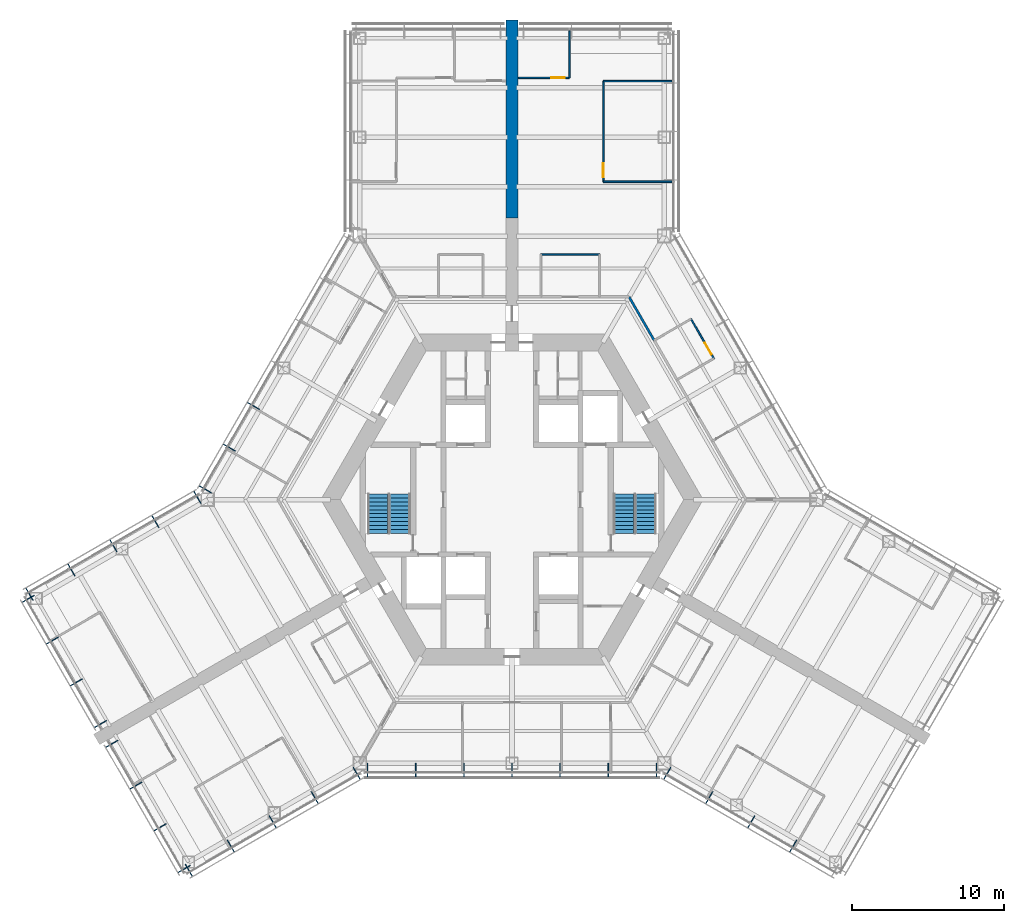
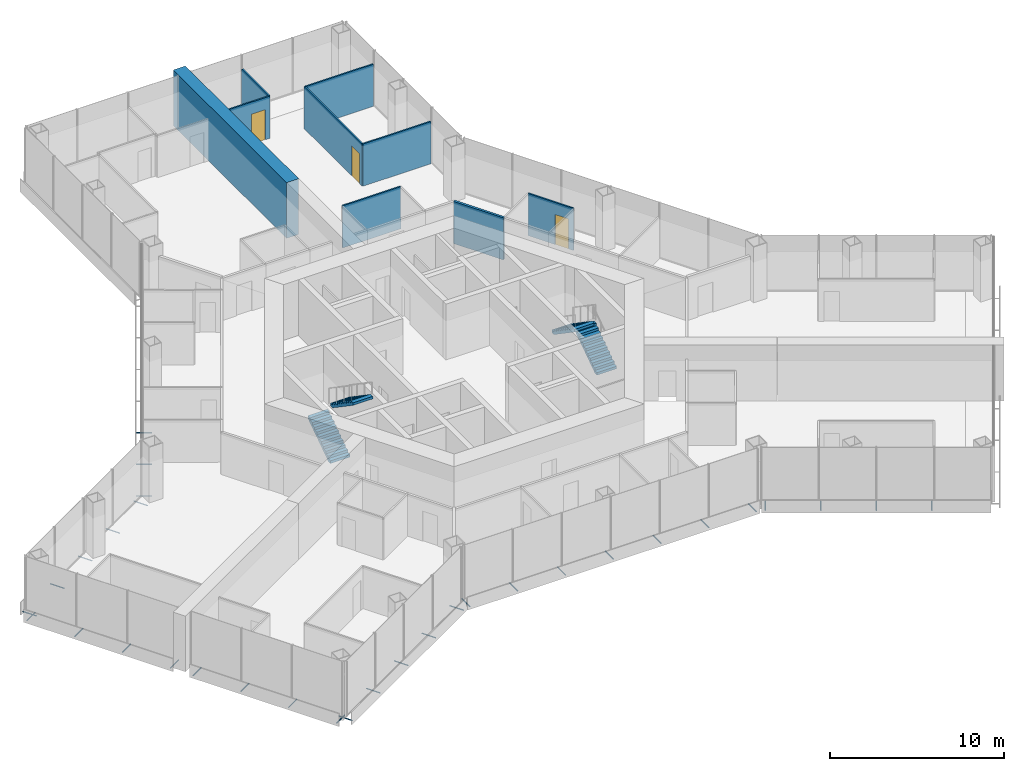
# One storey, part 16 of 19: 32 discrete accessories, 9 walls, 4 stair flights, 3 doors, 3 openings, 2 elements without a shape of their own.
"""IFC4 building model written with IfcOpenShell, lengths in metres."""

from ifc_helpers import new_model, si_unit, direction, frame, frame_2d, origin, origin_2d, place, context, subcontext, project, spatial, polyline, rectangle, hollow_circle, outline, extrude, material, layer, layer_set, material_profile, profile_set, type_object, element, fill, aggregate, save


model = new_model("IFC4")

# Units and contexts
model_context = context("Model", 3, precision=1e-05, world=origin(), true_north=direction((0.0, 1.0)))
body_context = subcontext(model_context, "Body", "Model", "MODEL_VIEW")
ifc_project = project(units=[si_unit("LENGTHUNIT", "METRE"), si_unit("AREAUNIT", "SQUARE_METRE"), si_unit("VOLUMEUNIT", "CUBIC_METRE"), si_unit("PLANEANGLEUNIT", "RADIAN"), si_unit("MASSUNIT", "GRAM", prefix="KILO")], contexts=[model_context])

# Site, building, storey
site_placement = place(None, origin())
site = spatial("IfcSite", under=ifc_project, at=site_placement, CompositionType="ELEMENT")
building_placement = place(site_placement, origin())
building = spatial("IfcBuilding", under=site, at=building_placement, Name="Kasaneha Research Tower", CompositionType="ELEMENT")
storey_placement = place(building_placement, frame((0.0, 0.0, 84.60009765625)))
storey = spatial("IfcBuildingStorey", under=building, at=storey_placement, Name="L21", CompositionType="ELEMENT", Elevation=84.60009765625)

# Wall
ifc_material_1 = material(Name="Gypsum board on steel studs, one layer each side", Category="steel")
ifc_layer_1 = layer(ifc_material_1, 0.10009765625)
ifc_layer_set_1 = layer_set([ifc_layer_1], Name="Office partition 100")
wall_type_1 = type_object("IfcWallType", Name="Office partition 100", PredefinedType="PARTITIONING", material=ifc_layer_set_1)
wall_1_placement = place(storey_placement, frame((1.89990234375, 16.125, 0.0), z_axis=(0.0, 0.0, 1.0), x_axis=(1.0, 0.0, 0.0)))
element("IfcWall", 1, at=wall_1_placement, inside=storey, type_object=wall_type_1, Name="Office partition FAE08 L21", PredefinedType="PARTITIONING", context=body_context, shape_type="SweptSolid", body=[
    extrude(rectangle(XDim=3.857177734375, YDim=0.10009765625, at=frame_2d((1.9287109375, 0.0))), origin(), (0.0, 0.0, 1.0), 2.949951171875),
])

# Wall, opening, door
wall_2_placement = place(storey_placement, frame((11.7646484375, 11.873046875, 0.0), z_axis=(0.0, 0.0, 1.0), x_axis=(0.499990139034, -0.866031096941, 0.0)))
wall_2 = element("IfcWall", 2, at=wall_2_placement, inside=storey, type_object=wall_type_1, Name="Office partition FAE12 L21", PredefinedType="PARTITIONING", context=body_context, shape_type="SweptSolid", body=[
    extrude(rectangle(XDim=3.0, YDim=0.10009765625, at=frame_2d((1.5, 0.0))), origin(), (0.0, 0.0, 1.0), 2.949951171875),
])
opening_1_placement = place(wall_2_placement, frame((1.800048828125, 0.0, 0.0)))
opening_1 = element("IfcOpeningElement", 3, at=opening_1_placement, cuts=wall_2, Name="Opening L21-D30", PredefinedType="OPENING", context=body_context, shape_type="SweptSolid", body=[
    extrude(rectangle(XDim=0.89990234375, YDim=2.10009765625, at=frame_2d((0.449951171875, 1.050048828125))), frame((0.0, 0.06005859375, 0.0), z_axis=(0.0, -1.0, 0.0), x_axis=(1.0, 0.0, 0.0)), (0.0, 0.0, 1.0), 0.1201171875),
])
ifc_material_2 = material(Name="Timber veneer", Category="wood")
door_type = type_object("IfcDoorType", Name="Office door 900x2100", OperationType="SINGLE_SWING_LEFT", PredefinedType="DOOR", material=ifc_material_2)
door_1_placement = place(opening_1_placement, origin())
door_1 = element("IfcDoor", 4, at=door_1_placement, inside=storey, type_object=door_type, Name="Pantry door L21-D30", OperationType="SINGLE_SWING_RIGHT", OverallHeight=2.10009765625, OverallWidth=0.89990234375, PredefinedType="DOOR", context=body_context, shape_type="SweptSolid", body=[
    extrude(rectangle(XDim=0.89990234375, YDim=2.10009765625, at=frame_2d((0.449951171875, 1.050048828125))), frame((0.0, 0.02490234375, 0.0), z_axis=(0.0, -1.0, 0.0), x_axis=(1.0, 0.0, 0.0)), (0.0, 0.0, 1.0), 0.050048828125),
])
fill(opening_1, door_1)

wall_3_placement = place(storey_placement, frame((6.0, 20.89111328125, 0.0), z_axis=(0.0, 0.0, 1.0), x_axis=(0.0, 1.0, 0.0)))
wall_3 = element("IfcWall", 5, at=wall_3_placement, inside=storey, type_object=wall_type_1, Name="Office partition FAE15 L21", PredefinedType="PARTITIONING", context=body_context, shape_type="SweptSolid", body=[
    extrude(rectangle(XDim=6.61962890625, YDim=0.10009765625, at=frame_2d((3.309814453125, 0.0))), origin(), (0.0, 0.0, 1.0), 2.949951171875),
])
opening_2_placement = place(wall_3_placement, frame((0.300048828125, 0.0, 0.0)))
opening_2 = element("IfcOpeningElement", 6, at=opening_2_placement, cuts=wall_3, Name="Opening L21-D32", PredefinedType="OPENING", context=body_context, shape_type="SweptSolid", body=[
    extrude(rectangle(XDim=0.89990234375, YDim=2.10009765625, at=frame_2d((0.449951171875, 1.050048828125))), frame((0.0, 0.06005859375, 0.0), z_axis=(0.0, -1.0, 0.0), x_axis=(1.0, 0.0, 0.0)), (0.0, 0.0, 1.0), 0.1201171875),
])
door_2_placement = place(opening_2_placement, origin())
door_2 = element("IfcDoor", 7, at=door_2_placement, inside=storey, type_object=door_type, Name="Meeting room door L21-D32", OperationType="SINGLE_SWING_LEFT", OverallHeight=2.10009765625, OverallWidth=0.89990234375, PredefinedType="DOOR", context=body_context, shape_type="SweptSolid", body=[
    extrude(rectangle(XDim=0.89990234375, YDim=2.10009765625, at=frame_2d((0.449951171875, 1.050048828125))), frame((0.0, 0.02490234375, 0.0), z_axis=(0.0, -1.0, 0.0), x_axis=(1.0, 0.0, 0.0)), (0.0, 0.0, 1.0), 0.050048828125),
])
fill(opening_2, door_2)

# Walls
for number, where, z_axis, x_axis, name in (
    (8, (6.0, 27.5107421875, 0.0), (0.0, 0.0, 1.0), (1.0, 0.0, 0.0), "Office partition FAE16 L21"),
    (9, (10.5, 20.89111328125, 0.0), (0.0, 0.0, 1.0), (-1.0, 0.0, 0.0), "Office partition FAE17 L21"),
):
    element("IfcWall", number, at=place(storey_placement, frame(where, z_axis=z_axis, x_axis=x_axis)), inside=storey, type_object=wall_type_1, Name=name, PredefinedType="PARTITIONING", context=body_context, shape_type="SweptSolid", body=[
        extrude(rectangle(XDim=4.5, YDim=0.10009765625, at=frame_2d((2.25, 0.0))), origin(), (0.0, 0.0, 1.0), 2.949951171875),
    ])

# Wall, opening, door
wall_4_placement = place(storey_placement, frame((3.7666015625, 27.720458984375, 0.0), z_axis=(0.0, 0.0, 1.0), x_axis=(-1.0, 0.0, 0.0)))
wall_4 = element("IfcWall", 10, at=wall_4_placement, inside=storey, type_object=wall_type_1, Name="Office partition FAE18 L21", PredefinedType="PARTITIONING", context=body_context, shape_type="SweptSolid", body=[
    extrude(rectangle(XDim=3.3466796875, YDim=0.10009765625, at=frame_2d((1.67333984375, 0.0))), origin(), (0.0, 0.0, 1.0), 2.949951171875),
])
opening_3_placement = place(wall_4_placement, frame((0.300048828125, 0.0, 0.0)))
opening_3 = element("IfcOpeningElement", 11, at=opening_3_placement, cuts=wall_4, Name="Opening L21-D33", PredefinedType="OPENING", context=body_context, shape_type="SweptSolid", body=[
    extrude(rectangle(XDim=0.89990234375, YDim=2.10009765625, at=frame_2d((0.449951171875, 1.050048828125))), frame((0.0, 0.06005859375, 0.0), z_axis=(0.0, -1.0, 0.0), x_axis=(1.0, 0.0, 0.0)), (0.0, 0.0, 1.0), 0.1201171875),
])
door_3_placement = place(opening_3_placement, origin())
door_3 = element("IfcDoor", 12, at=door_3_placement, inside=storey, type_object=door_type, Name="Workroom door L21-D33", OperationType="SINGLE_SWING_LEFT", OverallHeight=2.10009765625, OverallWidth=0.89990234375, PredefinedType="DOOR", context=body_context, shape_type="SweptSolid", body=[
    extrude(rectangle(XDim=0.89990234375, YDim=2.10009765625, at=frame_2d((0.449951171875, 1.050048828125))), frame((0.0, 0.02490234375, 0.0), z_axis=(0.0, -1.0, 0.0), x_axis=(1.0, 0.0, 0.0)), (0.0, 0.0, 1.0), 0.050048828125),
])
fill(opening_3, door_3)

# Walls
wall_5_placement = place(storey_placement, frame((3.7666015625, 30.800537109375, 0.0), z_axis=(0.0, 0.0, 1.0), x_axis=(0.0, -1.0, 0.0)))
element("IfcWall", 13, at=wall_5_placement, inside=storey, type_object=wall_type_1, Name="Office partition FAE19 L21", PredefinedType="PARTITIONING", context=body_context, shape_type="SweptSolid", body=[
    extrude(rectangle(XDim=3.080078125, YDim=0.10009765625, at=frame_2d((1.5400390625, 0.0))), origin(), (0.0, 0.0, 1.0), 2.949951171875),
])
ifc_material_3 = material(Name="Concrete Fc80", Category="concrete")
ifc_layer_2 = layer(ifc_material_3, 0.800048828125)
ifc_layer_set_2 = layer_set([ifc_layer_2], Name="Spine wall 800 Fc80")
wall_type_2 = type_object("IfcWallType", Name="Spine wall 800 Fc80", PredefinedType="SHEAR", material=ifc_layer_set_2)
wall_6_placement = place(storey_placement, frame((0.0, 18.5205078125, 0.0), z_axis=(0.0, 0.0, 1.0), x_axis=(0.0, 1.0, 0.0)))
element("IfcWall", 14, at=wall_6_placement, inside=storey, type_object=wall_type_2, Name="Spine wall A wing L21", PredefinedType="SHEAR", context=body_context, shape_type="SweptSolid", body=[
    extrude(rectangle(XDim=13.0, YDim=0.800048828125, at=frame_2d((6.5, 0.0))), origin(), (0.0, 0.0, 1.0), 3.89990234375),
])
ifc_material_4 = material(Name="Gypsum board on steel studs, two layers each side", Category="steel")
ifc_layer_3 = layer(ifc_material_4, 0.14990234375)
ifc_layer_set_3 = layer_set([ifc_layer_3], Name="Suite partition 150")
wall_type_3 = type_object("IfcWallType", Name="Suite partition 150", PredefinedType="PARTITIONING", material=ifc_layer_set_3)
wall_7_placement = place(storey_placement, frame((7.693115234375, 13.324951171875, 0.0), z_axis=(0.0, 0.0, 1.0), x_axis=(0.500008692254, -0.866020385251, 0.0)))
element("IfcWall", 15, at=wall_7_placement, inside=storey, type_object=wall_type_3, Name="Suite partition FAE06 L21", PredefinedType="PARTITIONING", context=body_context, shape_type="SweptSolid", body=[
    extrude(rectangle(XDim=3.2978515625, YDim=0.14990234375, at=frame_2d((1.64892578125, 0.0))), origin(), (0.0, 0.0, 1.0), 2.949951171875),
])

# Stair, stair flights
ifc_material_5 = material(Name="Concrete Fc24", Category="concrete")
stair_type = type_object("IfcStairType", Name="Half-turn stair 22 risers", PredefinedType="HALF_TURN_STAIR", material=ifc_material_5)
stair_1_placement = place(storey_placement, origin())
stair_1 = element("IfcStair", 16, at=stair_1_placement, inside=storey, type_object=stair_type, Name="Stair 1 L21", PredefinedType="HALF_TURN_STAIR")
ifc_material_6 = material(Name="Concrete Fc24", Category="concrete")
stair_flight_type = type_object("IfcStairFlightType", Name="Stair flight 11 risers 177.3", PredefinedType="STRAIGHT", material=ifc_material_6)
stair_flight_1_placement = place(storey_placement, frame((8.824951171875, -2.22509765625, 0.0), z_axis=(0.0, 0.0, 1.0), x_axis=(0.0, 1.0, 0.0)))
stair_flight_1 = element("IfcStairFlight", 17, at=stair_flight_1_placement, type_object=stair_flight_type, Name="ST1-22R flight 1", NumberOfRisers=11, NumberOfTreads=10, PredefinedType="STRAIGHT", RiserHeight=0.177272727, TreadLength=0.26, context=body_context, shape_type="SweptSolid", body=[
    extrude(outline(polyline([(0.0, 0.0), (0.0, 0.17724609375), (0.260009765625, 0.17724609375), (0.260009765625, 0.3544921875), (0.52001953125, 0.3544921875), (0.52001953125, 0.53173828125), (0.780029296875, 0.53173828125), (0.780029296875, 0.708984375), (1.0400390625, 0.708984375), (1.0400390625, 0.886474609375), (1.300048828125, 0.886474609375), (1.300048828125, 1.063720703125), (1.56005859375, 1.063720703125), (1.56005859375, 1.240966796875), (1.820068359375, 1.240966796875), (1.820068359375, 1.418212890625), (2.080078125, 1.418212890625), (2.080078125, 1.595458984375), (2.340087890625, 1.595458984375), (2.340087890625, 1.772705078125), (2.60009765625, 1.772705078125), (2.60009765625, 1.949951171875), (2.60009765625, 1.59130859375), (0.26611328125, 0.0), (0.0, 0.0)])), frame((0.0, 0.64990234375, 0.0), z_axis=(0.0, -1.0, 0.0), x_axis=(1.0, 0.0, 0.0)), (0.0, 0.0, 1.0), 1.300048828125),
])
stair_flight_2_placement = place(storey_placement, frame((7.324951171875, 0.375, 1.949951171875), z_axis=(0.0, 0.0, 1.0), x_axis=(0.0, -1.0, 0.0)))
stair_flight_2 = element("IfcStairFlight", 18, at=stair_flight_2_placement, type_object=stair_flight_type, Name="ST1-22R flight 2", NumberOfRisers=11, NumberOfTreads=10, PredefinedType="STRAIGHT", RiserHeight=0.177272727, TreadLength=0.26, context=body_context, shape_type="SweptSolid", body=[
    extrude(outline(polyline([(0.0, 0.0), (0.0, 0.17724609375), (0.260009765625, 0.17724609375), (0.260009765625, 0.3544921875), (0.52001953125, 0.3544921875), (0.52001953125, 0.53173828125), (0.780029296875, 0.53173828125), (0.780029296875, 0.708984375), (1.0400390625, 0.708984375), (1.0400390625, 0.886474609375), (1.300048828125, 0.886474609375), (1.300048828125, 1.063720703125), (1.56005859375, 1.063720703125), (1.56005859375, 1.240966796875), (1.820068359375, 1.240966796875), (1.820068359375, 1.418212890625), (2.080078125, 1.418212890625), (2.080078125, 1.595458984375), (2.340087890625, 1.595458984375), (2.340087890625, 1.772705078125), (2.60009765625, 1.772705078125), (2.60009765625, 1.949951171875), (2.60009765625, 1.59130859375), (0.26611328125, 0.0), (0.0, 0.0)])), frame((0.0, 0.64990234375, 0.0), z_axis=(0.0, -1.0, 0.0), x_axis=(1.0, 0.0, 0.0)), (0.0, 0.0, 1.0), 1.300048828125),
])
aggregate(stair_1, [stair_flight_1, stair_flight_2])

stair_2_placement = place(storey_placement, origin())
stair_2 = element("IfcStair", 19, at=stair_2_placement, inside=storey, type_object=stair_type, Name="Stair 2 L21", PredefinedType="HALF_TURN_STAIR")
stair_flight_3_placement = place(storey_placement, frame((-8.824951171875, -2.22509765625, 0.0), z_axis=(0.0, 0.0, 1.0), x_axis=(0.0, 1.0, 0.0)))
stair_flight_3 = element("IfcStairFlight", 20, at=stair_flight_3_placement, type_object=stair_flight_type, Name="ST2-22R flight 1", NumberOfRisers=11, NumberOfTreads=10, PredefinedType="STRAIGHT", RiserHeight=0.177272727, TreadLength=0.26, context=body_context, shape_type="SweptSolid", body=[
    extrude(outline(polyline([(0.0, 0.0), (0.0, 0.17724609375), (0.260009765625, 0.17724609375), (0.260009765625, 0.3544921875), (0.52001953125, 0.3544921875), (0.52001953125, 0.53173828125), (0.780029296875, 0.53173828125), (0.780029296875, 0.708984375), (1.0400390625, 0.708984375), (1.0400390625, 0.886474609375), (1.300048828125, 0.886474609375), (1.300048828125, 1.063720703125), (1.56005859375, 1.063720703125), (1.56005859375, 1.240966796875), (1.820068359375, 1.240966796875), (1.820068359375, 1.418212890625), (2.080078125, 1.418212890625), (2.080078125, 1.595458984375), (2.340087890625, 1.595458984375), (2.340087890625, 1.772705078125), (2.60009765625, 1.772705078125), (2.60009765625, 1.949951171875), (2.60009765625, 1.59130859375), (0.26611328125, 0.0), (0.0, 0.0)])), frame((0.0, 0.64990234375, 0.0), z_axis=(0.0, -1.0, 0.0), x_axis=(1.0, 0.0, 0.0)), (0.0, 0.0, 1.0), 1.300048828125),
])
stair_flight_4_placement = place(storey_placement, frame((-7.324951171875, 0.375, 1.949951171875), z_axis=(0.0, 0.0, 1.0), x_axis=(0.0, -1.0, 0.0)))
stair_flight_4 = element("IfcStairFlight", 21, at=stair_flight_4_placement, type_object=stair_flight_type, Name="ST2-22R flight 2", NumberOfRisers=11, NumberOfTreads=10, PredefinedType="STRAIGHT", RiserHeight=0.177272727, TreadLength=0.26, context=body_context, shape_type="SweptSolid", body=[
    extrude(outline(polyline([(0.0, 0.0), (0.0, 0.17724609375), (0.260009765625, 0.17724609375), (0.260009765625, 0.3544921875), (0.52001953125, 0.3544921875), (0.52001953125, 0.53173828125), (0.780029296875, 0.53173828125), (0.780029296875, 0.708984375), (1.0400390625, 0.708984375), (1.0400390625, 0.886474609375), (1.300048828125, 0.886474609375), (1.300048828125, 1.063720703125), (1.56005859375, 1.063720703125), (1.56005859375, 1.240966796875), (1.820068359375, 1.240966796875), (1.820068359375, 1.418212890625), (2.080078125, 1.418212890625), (2.080078125, 1.595458984375), (2.340087890625, 1.595458984375), (2.340087890625, 1.772705078125), (2.60009765625, 1.772705078125), (2.60009765625, 1.949951171875), (2.60009765625, 1.59130859375), (0.26611328125, 0.0), (0.0, 0.0)])), frame((0.0, 0.64990234375, 0.0), z_axis=(0.0, -1.0, 0.0), x_axis=(1.0, 0.0, 0.0)), (0.0, 0.0, 1.0), 1.300048828125),
])
aggregate(stair_2, [stair_flight_3, stair_flight_4])

# Discrete accessories
ifc_material_7 = material(Name="Steel STK400", Category="steel")
ifc_material_profile = material_profile(ifc_material_7, hollow_circle(Radius=0.0380859375, WallThickness=0.00390625, at=origin_2d()), Name="CHS-76.3x4.0")
ifc_profile_set = profile_set([ifc_material_profile], Name="Steel STK400")
discrete_accessory_type = type_object("IfcDiscreteAccessoryType", Name="Screen bracket CHS-76.3x4.0", PredefinedType="BRACKET", material=ifc_profile_set)
discrete_accessory_1_placement = place(storey_placement, frame((-21.474853515625, -23.945556640625, -0.300048828125), z_axis=(0.500021113727, -0.866013213425, 0.0), x_axis=(0.866013213425, 0.500021113727, 0.0)))
element("IfcDiscreteAccessory", 22, at=discrete_accessory_1_placement, inside=storey, type_object=discrete_accessory_type, Name="Screen bracket 1", PredefinedType="BRACKET", context=body_context, shape_type="SweptSolid", body=[
    extrude(hollow_circle(Radius=0.0380859375, WallThickness=0.00390625, at=origin_2d()), origin(), (0.0, 0.0, 1.0), 0.919921875),
])
discrete_accessory_2_placement = place(storey_placement, frame((-18.716796875, -22.35302734375, -0.300048828125), z_axis=(0.500105201737, -0.865964657013, 0.0), x_axis=(0.865964657013, 0.500105201737, 0.0)))
element("IfcDiscreteAccessory", 23, at=discrete_accessory_2_placement, inside=storey, type_object=discrete_accessory_type, Name="Screen bracket 2", PredefinedType="BRACKET", context=body_context, shape_type="SweptSolid", body=[
    extrude(hollow_circle(Radius=0.0380859375, WallThickness=0.00390625, at=origin_2d()), origin(), (0.0, 0.0, 1.0), 0.920166015625),
])
discrete_accessory_3_placement = place(storey_placement, frame((-15.95849609375, -20.7607421875, -0.300048828125), z_axis=(0.500021113727, -0.866013213425, 0.0), x_axis=(0.866013213425, 0.500021113727, 0.0)))
element("IfcDiscreteAccessory", 24, at=discrete_accessory_3_placement, inside=storey, type_object=discrete_accessory_type, Name="Screen bracket 3", PredefinedType="BRACKET", context=body_context, shape_type="SweptSolid", body=[
    extrude(hollow_circle(Radius=0.0380859375, WallThickness=0.00390625, at=origin_2d()), origin(), (0.0, 0.0, 1.0), 0.919921875),
])
discrete_accessory_4_placement = place(storey_placement, frame((-13.200439453125, -19.168212890625, -0.300048828125), z_axis=(0.499906209203, -0.866079547155, 0.0), x_axis=(0.866079547155, 0.499906209203, 0.0)))
element("IfcDiscreteAccessory", 25, at=discrete_accessory_4_placement, inside=storey, type_object=discrete_accessory_type, Name="Screen bracket 4", PredefinedType="BRACKET", context=body_context, shape_type="SweptSolid", body=[
    extrude(hollow_circle(Radius=0.0380859375, WallThickness=0.00390625, at=origin_2d()), origin(), (0.0, 0.0, 1.0), 0.920166015625),
])
for number, where, z_axis, x_axis, name in (
    (26, (-10.4423828125, -17.575927734375, -0.300048828125), (0.500021113727, -0.866013213425, 0.0), (0.866013213425, 0.500021113727, 0.0), "Screen bracket 5"),
    (27, (-9.4892578125, -17.320556640625, -0.300048828125), (0.0, -1.0, 0.0), (1.0, 0.0, 0.0), "Screen bracket 1"),
    (28, (-6.326171875, -17.320556640625, -0.300048828125), (0.0, -1.0, 0.0), (1.0, 0.0, 0.0), "Screen bracket 2"),
    (29, (-3.1630859375, -17.320556640625, -0.300048828125), (0.0, -1.0, 0.0), (1.0, 0.0, 0.0), "Screen bracket 3"),
    (30, (0.0, -17.320556640625, -0.300048828125), (0.0, -1.0, 0.0), (1.0, 0.0, 0.0), "Screen bracket 4"),
    (31, (3.1630859375, -17.320556640625, -0.300048828125), (0.0, -1.0, 0.0), (1.0, 0.0, 0.0), "Screen bracket 5"),
    (32, (6.326171875, -17.320556640625, -0.300048828125), (0.0, -1.0, 0.0), (1.0, 0.0, 0.0), "Screen bracket 6"),
    (33, (9.4892578125, -17.320556640625, -0.300048828125), (0.0, -1.0, 0.0), (1.0, 0.0, 0.0), "Screen bracket 7"),
    (34, (10.4423828125, -17.575927734375, -0.300048828125), (-0.500021113727, -0.866013213425, 0.0), (0.866013213425, -0.500021113727, 0.0), "Screen bracket 1"),
):
    element("IfcDiscreteAccessory", number, at=place(storey_placement, frame(where, z_axis=z_axis, x_axis=x_axis)), inside=storey, type_object=discrete_accessory_type, Name=name, PredefinedType="BRACKET", context=body_context, shape_type="SweptSolid", body=[
        extrude(hollow_circle(Radius=0.0380859375, WallThickness=0.00390625, at=origin_2d()), origin(), (0.0, 0.0, 1.0), 0.919921875),
    ])
discrete_accessory_5_placement = place(storey_placement, frame((13.200439453125, -19.168212890625, -0.300048828125), z_axis=(-0.499906209203, -0.866079547155, 0.0), x_axis=(0.866079547155, -0.499906209203, 0.0)))
element("IfcDiscreteAccessory", 35, at=discrete_accessory_5_placement, inside=storey, type_object=discrete_accessory_type, Name="Screen bracket 2", PredefinedType="BRACKET", context=body_context, shape_type="SweptSolid", body=[
    extrude(hollow_circle(Radius=0.0380859375, WallThickness=0.00390625, at=origin_2d()), origin(), (0.0, 0.0, 1.0), 0.920166015625),
])
discrete_accessory_6_placement = place(storey_placement, frame((15.95849609375, -20.7607421875, -0.300048828125), z_axis=(-0.500021113727, -0.866013213425, 0.0), x_axis=(0.866013213425, -0.500021113727, 0.0)))
element("IfcDiscreteAccessory", 36, at=discrete_accessory_6_placement, inside=storey, type_object=discrete_accessory_type, Name="Screen bracket 3", PredefinedType="BRACKET", context=body_context, shape_type="SweptSolid", body=[
    extrude(hollow_circle(Radius=0.0380859375, WallThickness=0.00390625, at=origin_2d()), origin(), (0.0, 0.0, 1.0), 0.919921875),
])
discrete_accessory_7_placement = place(storey_placement, frame((18.716796875, -22.35302734375, -0.300048828125), z_axis=(-0.500105201737, -0.865964657013, 0.0), x_axis=(0.865964657013, -0.500105201737, 0.0)))
element("IfcDiscreteAccessory", 37, at=discrete_accessory_7_placement, inside=storey, type_object=discrete_accessory_type, Name="Screen bracket 4", PredefinedType="BRACKET", context=body_context, shape_type="SweptSolid", body=[
    extrude(hollow_circle(Radius=0.0380859375, WallThickness=0.00390625, at=origin_2d()), origin(), (0.0, 0.0, 1.0), 0.920166015625),
])
for number, where, z_axis, x_axis, name in (
    (38, (-16.58154296875, 5.9208984375, -0.300048828125), (-0.866013213425, 0.500021113727, 0.0), (-0.500021113727, -0.866013213425, 0.0), "Screen bracket 5"),
    (39, (-18.1630859375, 3.181640625, -0.300048828125), (-0.866013213425, 0.500021113727, 0.0), (-0.500021113727, -0.866013213425, 0.0), "Screen bracket 6"),
    (40, (-19.74462890625, 0.4423828125, -0.300048828125), (-0.866013213425, 0.500021113727, 0.0), (-0.500021113727, -0.866013213425, 0.0), "Screen bracket 7"),
    (41, (-20.4423828125, -0.25537109375, -0.300048828125), (-0.500021113727, 0.866013213425, 0.0), (-0.866013213425, -0.500021113727, 0.0), "Screen bracket 1"),
):
    element("IfcDiscreteAccessory", number, at=place(storey_placement, frame(where, z_axis=z_axis, x_axis=x_axis)), inside=storey, type_object=discrete_accessory_type, Name=name, PredefinedType="BRACKET", context=body_context, shape_type="SweptSolid", body=[
        extrude(hollow_circle(Radius=0.0380859375, WallThickness=0.00390625, at=origin_2d()), origin(), (0.0, 0.0, 1.0), 0.919921875),
    ])
discrete_accessory_8_placement = place(storey_placement, frame((-23.200439453125, -1.847900390625, -0.300048828125), z_axis=(-0.499906209203, 0.866079547155, 0.0), x_axis=(-0.866079547155, -0.499906209203, 0.0)))
element("IfcDiscreteAccessory", 42, at=discrete_accessory_8_placement, inside=storey, type_object=discrete_accessory_type, Name="Screen bracket 2", PredefinedType="BRACKET", context=body_context, shape_type="SweptSolid", body=[
    extrude(hollow_circle(Radius=0.0380859375, WallThickness=0.00390625, at=origin_2d()), origin(), (0.0, 0.0, 1.0), 0.920166015625),
])
discrete_accessory_9_placement = place(storey_placement, frame((-25.95849609375, -3.440185546875, -0.300048828125), z_axis=(-0.500220121494, 0.865898279276, 0.0), x_axis=(-0.865898279276, -0.500220121494, 0.0)))
element("IfcDiscreteAccessory", 43, at=discrete_accessory_9_placement, inside=storey, type_object=discrete_accessory_type, Name="Screen bracket 3", PredefinedType="BRACKET", context=body_context, shape_type="SweptSolid", body=[
    extrude(hollow_circle(Radius=0.0380859375, WallThickness=0.00390625, at=origin_2d()), origin(), (0.0, 0.0, 1.0), 0.919921875),
])
discrete_accessory_10_placement = place(storey_placement, frame((-28.716796875, -5.03271484375, -0.300048828125), z_axis=(-0.499906209203, 0.866079547155, 0.0), x_axis=(-0.866079547155, -0.499906209203, 0.0)))
element("IfcDiscreteAccessory", 44, at=discrete_accessory_10_placement, inside=storey, type_object=discrete_accessory_type, Name="Screen bracket 4", PredefinedType="BRACKET", context=body_context, shape_type="SweptSolid", body=[
    extrude(hollow_circle(Radius=0.0380859375, WallThickness=0.00390625, at=origin_2d()), origin(), (0.0, 0.0, 1.0), 0.920166015625),
])
discrete_accessory_11_placement = place(storey_placement, frame((-31.474853515625, -6.625, -0.300048828125), z_axis=(-0.500021113727, 0.866013213425, 0.0), x_axis=(-0.866013213425, -0.500021113727, 0.0)))
element("IfcDiscreteAccessory", 45, at=discrete_accessory_11_placement, inside=storey, type_object=discrete_accessory_type, Name="Screen bracket 5", PredefinedType="BRACKET", context=body_context, shape_type="SweptSolid", body=[
    extrude(hollow_circle(Radius=0.0380859375, WallThickness=0.00390625, at=origin_2d()), origin(), (0.0, 0.0, 1.0), 0.919921875),
])
discrete_accessory_12_placement = place(storey_placement, frame((-31.38330078125, -6.283447265625, -0.300048828125), z_axis=(-0.866079547155, -0.499906209203, 0.0), x_axis=(0.499906209203, -0.866079547155, 0.0)))
element("IfcDiscreteAccessory", 46, at=discrete_accessory_12_placement, inside=storey, type_object=discrete_accessory_type, Name="Screen bracket 1", PredefinedType="BRACKET", context=body_context, shape_type="SweptSolid", body=[
    extrude(hollow_circle(Radius=0.0380859375, WallThickness=0.00390625, at=origin_2d()), origin(), (0.0, 0.0, 1.0), 0.920166015625),
])
discrete_accessory_13_placement = place(storey_placement, frame((-29.800048828125, -9.02587890625, -0.300048828125), z_axis=(-0.866013213425, -0.500021113727, 0.0), x_axis=(0.500021113727, -0.866013213425, 0.0)))
element("IfcDiscreteAccessory", 47, at=discrete_accessory_13_placement, inside=storey, type_object=discrete_accessory_type, Name="Screen bracket 2", PredefinedType="BRACKET", context=body_context, shape_type="SweptSolid", body=[
    extrude(hollow_circle(Radius=0.0380859375, WallThickness=0.00390625, at=origin_2d()), origin(), (0.0, 0.0, 1.0), 0.919921875),
])
for number, where, z_axis, x_axis, name in (
    (48, (-28.216552734375, -11.768310546875, -0.300048828125), (-0.866079547155, -0.499906209203, 0.0), (0.499906209203, -0.866079547155, 0.0), "Screen bracket 3"),
    (49, (-26.63330078125, -14.5107421875, -0.300048828125), (-0.866079547155, -0.499906209203, 0.0), (0.499906209203, -0.866079547155, 0.0), "Screen bracket 4"),
    (50, (-25.88330078125, -15.809814453125, -0.300048828125), (-0.866079547155, -0.499906209203, 0.0), (0.499906209203, -0.866079547155, 0.0), "Screen bracket 1"),
):
    element("IfcDiscreteAccessory", number, at=place(storey_placement, frame(where, z_axis=z_axis, x_axis=x_axis)), inside=storey, type_object=discrete_accessory_type, Name=name, PredefinedType="BRACKET", context=body_context, shape_type="SweptSolid", body=[
        extrude(hollow_circle(Radius=0.0380859375, WallThickness=0.00390625, at=origin_2d()), origin(), (0.0, 0.0, 1.0), 0.920166015625),
    ])
discrete_accessory_14_placement = place(storey_placement, frame((-24.300048828125, -18.55224609375, -0.300048828125), z_axis=(-0.866013213425, -0.500021113727, 0.0), x_axis=(0.500021113727, -0.866013213425, 0.0)))
element("IfcDiscreteAccessory", 51, at=discrete_accessory_14_placement, inside=storey, type_object=discrete_accessory_type, Name="Screen bracket 2", PredefinedType="BRACKET", context=body_context, shape_type="SweptSolid", body=[
    extrude(hollow_circle(Radius=0.0380859375, WallThickness=0.00390625, at=origin_2d()), origin(), (0.0, 0.0, 1.0), 0.919921875),
])
for number, where, z_axis, x_axis, name in (
    (52, (-22.716552734375, -21.294677734375, -0.300048828125), (-0.866079547155, -0.499906209203, 0.0), (0.499906209203, -0.866079547155, 0.0), "Screen bracket 3"),
    (53, (-21.13330078125, -24.037109375, -0.300048828125), (-0.866079547155, -0.499906209203, 0.0), (0.499906209203, -0.866079547155, 0.0), "Screen bracket 4"),
):
    element("IfcDiscreteAccessory", number, at=place(storey_placement, frame(where, z_axis=z_axis, x_axis=x_axis)), inside=storey, type_object=discrete_accessory_type, Name=name, PredefinedType="BRACKET", context=body_context, shape_type="SweptSolid", body=[
        extrude(hollow_circle(Radius=0.0380859375, WallThickness=0.00390625, at=origin_2d()), origin(), (0.0, 0.0, 1.0), 0.920166015625),
    ])

save(model, "model.ifc")
